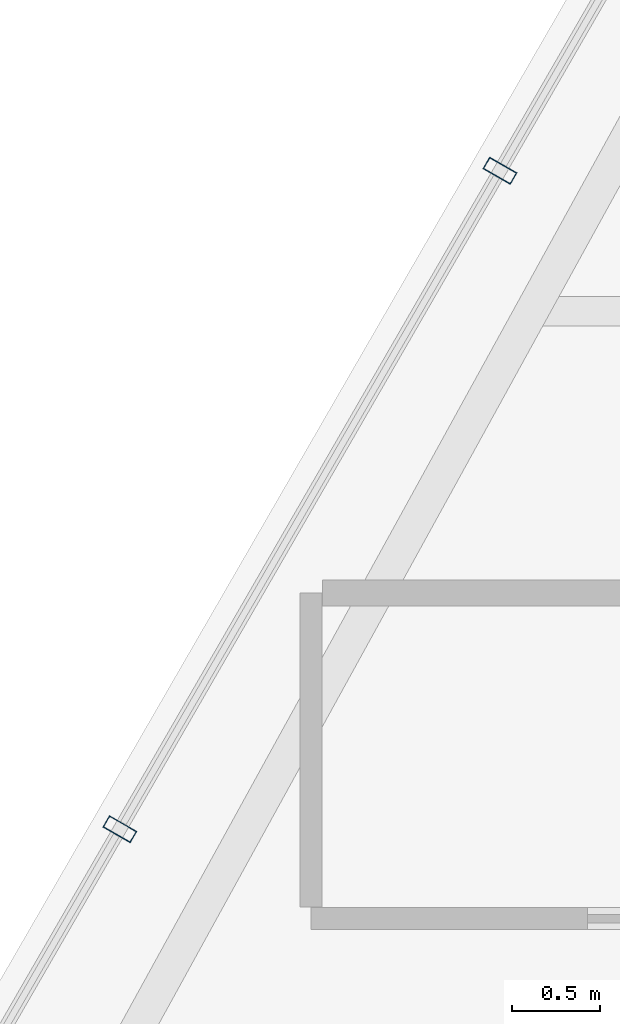
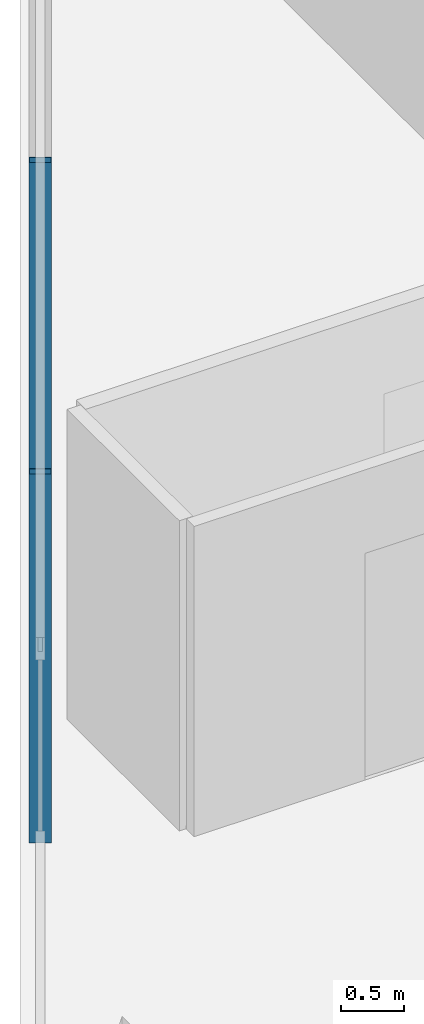
# One storey, part 4 of 30: 2 members, 1 element without a shape of its own.
"""IFC4 building model written with IfcOpenShell, lengths in metres."""

import ifcopenshell
import ifcopenshell.guid

model = None  # the IFC model being written
_history = None  # IfcOwnerHistory: only IFC2X3 demands one
_inside = {}  # id of a spatial element -> (the spatial element, [elements in it])
_under = {}  # id of a project, library or spatial element -> (it, [spatial elements below it])
_declared = {}  # id of a project -> (the project, [libraries it declares])
_typed = {}  # id of a type object -> (the type object, [elements of that type])
_made_of = {}  # id of a material, layer set ... -> (it, [elements and type objects made of it])


def new_model(schema):
    """Start an empty IFC model of exactly this schema.

    Asked for "IFC4X3", IfcOpenShell would pick the latest addendum, in which some entities
    have other attributes; the version numbers below select the first issue.
    IFC2X3 requires an IfcOwnerHistory on every rooted entity: one is made here for all.
    """
    global model, _history
    if schema == "IFC4X3":
        model = ifcopenshell.file(schema_version=(4, 3, 0, 0))
    else:
        model = ifcopenshell.file(schema=schema)
    _inside.clear()
    _under.clear()
    _declared.clear()
    _typed.clear()
    _made_of.clear()
    _history = None
    if model.schema == "IFC2X3":
        org = make("IfcOrganization", Name="unknown")
        user = make(
            "IfcPersonAndOrganization",
            ThePerson=make("IfcPerson", FamilyName="unknown"),
            TheOrganization=org,
        )
        app = make(
            "IfcApplication",
            ApplicationDeveloper=org,
            Version="unknown",
            ApplicationFullName="unknown",
            ApplicationIdentifier="unknown",
        )
        _history = make(
            "IfcOwnerHistory",
            OwningUser=user,
            OwningApplication=app,
            ChangeAction="ADDED",
            CreationDate=0,
        )
    return model


def make(cls, **values):
    """One entity of the class cls with the attributes given. An attribute that is None is left unset."""
    return model.create_entity(
        cls, **{name: value for name, value in values.items() if value is not None}
    )


def rooted(cls, **values):
    """An entity with a GlobalId (a new one), such as an element, a storey or a relation."""
    return make(cls, GlobalId=ifcopenshell.guid.new(), OwnerHistory=_history, **values)


def si_unit(unit_type, name, prefix=None):
    """IfcSIUnit, for example si_unit("LENGTHUNIT", "METRE", prefix="MILLI")."""
    return make("IfcSIUnit", UnitType=unit_type, Prefix=prefix, Name=name)


def assignment(units):
    """IfcUnitAssignment: the units of a project."""
    return None if units is None else make("IfcUnitAssignment", Units=units)


def point(xyz):
    """IfcCartesianPoint."""
    return None if xyz is None else make("IfcCartesianPoint", Coordinates=xyz)


def direction(xyz):
    """IfcDirection."""
    return None if xyz is None else make("IfcDirection", DirectionRatios=xyz)


def frame(location, z_axis=None, x_axis=None):
    """IfcAxis2Placement3D, a coordinate frame: its origin and axes. An axis left out is left unset."""
    return make(
        "IfcAxis2Placement3D",
        Location=point(location),
        Axis=direction(z_axis),
        RefDirection=direction(x_axis),
    )


def frame_2d(location, x_axis=None):
    """IfcAxis2Placement2D, a coordinate frame in the plane: its origin and x axis."""
    return make(
        "IfcAxis2Placement2D", Location=point(location), RefDirection=direction(x_axis)
    )


def origin():
    """The frame at (0, 0, 0) with its axes left unset."""
    return frame((0.0, 0.0, 0.0))


def origin_2d():
    """The frame at (0, 0) in the plane with its x axis left unset."""
    return frame_2d((0.0, 0.0))


def place(relative_to, where):
    """IfcLocalPlacement: puts the frame where relative to a parent placement (None: the world)."""
    return make(
        "IfcLocalPlacement", PlacementRelTo=relative_to, RelativePlacement=where
    )


def context(
    kind, dimensions, precision=None, world=None, true_north=None, identifier=None
):
    """IfcGeometricRepresentationContext, for example the 3D "Model" context."""
    return make(
        "IfcGeometricRepresentationContext",
        ContextIdentifier=identifier,
        ContextType=kind,
        CoordinateSpaceDimension=dimensions,
        Precision=precision,
        WorldCoordinateSystem=world,
        TrueNorth=true_north,
    )


def subcontext(parent, identifier, kind, view, scale=None):
    """IfcGeometricRepresentationSubContext, for example "Body" below "Model"."""
    return make(
        "IfcGeometricRepresentationSubContext",
        ContextIdentifier=identifier,
        ContextType=kind,
        ParentContext=parent,
        TargetScale=scale,
        TargetView=view,
    )


def project(units=None, contexts=None):
    """IfcProject with its units and contexts."""
    return rooted(
        "IfcProject",
        Name="project",
        RepresentationContexts=contexts,
        UnitsInContext=assignment(units),
    )


def spatial(cls, under=None, at=None, **own):
    """A site, building, storey or space (cls), placed at a placement, below another one or the project."""
    s = rooted(cls, ObjectPlacement=at, **own)
    if under is not None:
        _under.setdefault(under.id(), (under, []))[1].append(s)
    return s


def profile(cls, at=None, kind="AREA", **sizes):
    """A parametric profile (cls). Its sizes go by their IFC names, for example OverallWidth=200.0."""
    return make(cls, ProfileType=kind, Position=at, **sizes)


def hollow_rectangle(**sizes):
    """IfcRectangleHollowProfileDef."""
    return profile("IfcRectangleHollowProfileDef", **sizes)


def extrude(swept, where, along, depth):
    """IfcExtrudedAreaSolid: the profile swept, set in the frame where, extruded along a direction by depth."""
    return make(
        "IfcExtrudedAreaSolid",
        SweptArea=swept,
        Position=where,
        ExtrudedDirection=direction(along),
        Depth=depth,
    )


def shape(context_of_items, identifier, shape_type, items):
    """IfcShapeRepresentation: the items that make up one representation, for example the "Body"."""
    return make(
        "IfcShapeRepresentation",
        ContextOfItems=context_of_items,
        RepresentationIdentifier=identifier,
        RepresentationType=shape_type,
        Items=items,
    )


def material(Name=None, Category=None):
    """IfcMaterial."""
    return make("IfcMaterial", Name=Name, Category=Category)


def layer(
    of_material, thickness, ventilated=None, Name=None, Category=None, Priority=None
):
    """IfcMaterialLayer: one layer of a wall or slab, of a material (None: an air gap)."""
    return make(
        "IfcMaterialLayer",
        Material=of_material,
        LayerThickness=thickness,
        IsVentilated=ventilated,
        Name=Name,
        Category=Category,
        Priority=Priority,
    )


def layer_set(layers, Name=None):
    """IfcMaterialLayerSet."""
    return make("IfcMaterialLayerSet", MaterialLayers=layers, LayerSetName=Name)


def material_profile(
    of_material, cross_section, Name=None, Category=None, Priority=None
):
    """IfcMaterialProfile: a cross section and its material."""
    return make(
        "IfcMaterialProfile",
        Name=Name,
        Material=of_material,
        Profile=cross_section,
        Priority=Priority,
        Category=Category,
    )


def profile_set(profiles, Name=None, composite=None):
    """IfcMaterialProfileSet."""
    return make(
        "IfcMaterialProfileSet",
        Name=Name,
        MaterialProfiles=profiles,
        CompositeProfile=composite,
    )


def made_of(thing, what):
    """Note that an element or type object is made of a material, layer set ...; save() writes the relation."""
    if what is not None:
        _made_of.setdefault(what.id(), (what, []))[1].append(thing)
    return thing


def type_object(cls, material=None, **own):
    """A type object (cls), such as IfcWallType, which elements share."""
    return made_of(rooted(cls, **own), material)


def element(
    cls,
    number,
    at=None,
    inside=None,
    cuts=None,
    type_object=None,
    material=None,
    context=None,
    identifier="Body",
    shape_type=None,
    held_by="IfcProductDefinitionShape",
    body=None,
    shapes=None,
    **own,
):
    """One element of the class cls, such as IfcWall. Its Tag is "e" and its number.

    at: its placement. inside: the storey or other place that contains it. cuts: it is an
    opening in that element (IfcRelVoidsElement). A single representation is given by context,
    identifier, shape_type and body (its items); several are given by shapes. held_by: the class
    of the entity that holds the representations. save() writes the other relations.
    """
    e = rooted(cls, Tag="e%d" % number, ObjectPlacement=at, **own)
    if body is not None:
        shapes = [shape(context, identifier, shape_type, body)]
    if shapes is not None:
        e.Representation = make(held_by, Representations=shapes)
    if inside is not None:
        _inside.setdefault(inside.id(), (inside, []))[1].append(e)
    if cuts is not None:
        rooted(
            "IfcRelVoidsElement", RelatingBuildingElement=cuts, RelatedOpeningElement=e
        )
    if type_object is not None:
        _typed.setdefault(type_object.id(), (type_object, []))[1].append(e)
    return made_of(e, material)


def aggregate(whole, parts):
    """IfcRelAggregates: a whole, such as a stair, and the parts it consists of."""
    return rooted("IfcRelAggregates", RelatingObject=whole, RelatedObjects=parts)


def save(model, path):
    """Write the relations noted so far, then the file.

    IfcRelAggregates (storeys below a building ...), IfcRelContainedInSpatialStructure (elements
    in a storey), IfcRelDefinesByType, IfcRelAssociatesMaterial and IfcRelDeclares: one each for
    every whole, place, type object, material and project.
    """
    for whole, parts in _under.values():
        aggregate(whole, parts)
    for where, things in _inside.values():
        rooted(
            "IfcRelContainedInSpatialStructure",
            RelatedElements=things,
            RelatingStructure=where,
        )
    for kind, things in _typed.values():
        rooted("IfcRelDefinesByType", RelatedObjects=things, RelatingType=kind)
    for what, things in _made_of.values():
        rooted("IfcRelAssociatesMaterial", RelatedObjects=things, RelatingMaterial=what)
    for by, libraries in _declared.values():
        rooted("IfcRelDeclares", RelatingContext=by, RelatedDefinitions=libraries)
    model.write(path)


model = new_model("IFC4")

# Units and contexts
model_context = context("Model", 3, precision=1e-05, world=origin(), true_north=direction((0.0, 1.0)))
body_context = subcontext(model_context, "Body", "Model", "MODEL_VIEW")
ifc_project = project(units=[si_unit("LENGTHUNIT", "METRE"), si_unit("AREAUNIT", "SQUARE_METRE"), si_unit("VOLUMEUNIT", "CUBIC_METRE"), si_unit("PLANEANGLEUNIT", "RADIAN"), si_unit("MASSUNIT", "GRAM", prefix="KILO")], contexts=[model_context])

# Site, building, storey
site_placement = place(None, origin())
site = spatial("IfcSite", under=ifc_project, at=site_placement, CompositionType="ELEMENT")
building_placement = place(site_placement, origin())
building = spatial("IfcBuilding", under=site, at=building_placement, Name="Ndaravel Arena Tower", CompositionType="ELEMENT")
storey_placement = place(building_placement, frame((0.0, 0.0, 221.800048828125)))
storey = spatial("IfcBuildingStorey", under=building, at=storey_placement, Name="L53", CompositionType="ELEMENT", Elevation=221.800048828125)

# Curtain wall, members
ifc_material_1 = material(Name="Aluminium", Category="aluminium")
ifc_layer = layer(ifc_material_1, 0.179931640625)
ifc_layer_set = layer_set([ifc_layer], Name="Aluminium")
curtain_wall_type = type_object("IfcCurtainWallType", Name="CW-SYS-03", PredefinedType="NOTDEFINED", material=ifc_layer_set)
curtain_wall_placement = place(storey_placement, origin())
curtain_wall = element("IfcCurtainWall", 1, at=curtain_wall_placement, inside=storey, type_object=curtain_wall_type, Name="L53 Faceted Crystal Curtain Wall CW-L53-E05", PredefinedType="NOTDEFINED")
ifc_material_2 = material(Name="Aluminium", Category="aluminium")
ifc_material_profile = material_profile(ifc_material_2, hollow_rectangle(XDim=0.074951171875, YDim=0.179931640625, WallThickness=0.00390625, at=origin_2d()), Name="CW MULLION 75x180x4")
ifc_profile_set = profile_set([ifc_material_profile], Name="Aluminium")
member_type = type_object("IfcMemberType", Name="MEM-CW-MUL180", PredefinedType="MULLION", material=ifc_profile_set)
member_1_placement = place(storey_placement, frame((22.9833984375, 19.398193359375, 0.0), z_axis=(0.0, 0.0, 1.0), x_axis=(-0.5, -0.866025403784, 0.0)))
member_1 = element("IfcMember", 2, at=member_1_placement, type_object=member_type, Name="CW-L53-E05 Mullion 07", PredefinedType="MULLION", context=body_context, shape_type="SweptSolid", body=[
    extrude(hollow_rectangle(XDim=0.074951171875, YDim=0.179931640625, WallThickness=0.00390625, at=origin_2d()), origin(), (0.0, 0.0, 1.0), 3.579833984375),
])
member_2_placement = place(storey_placement, frame((20.82421875, 15.658203125, 0.0), z_axis=(0.0, 0.0, 1.0), x_axis=(-0.5, -0.866025403784, 0.0)))
member_2 = element("IfcMember", 3, at=member_2_placement, type_object=member_type, Name="CW-L53-E05 Mullion 08", PredefinedType="MULLION", context=body_context, shape_type="SweptSolid", body=[
    extrude(hollow_rectangle(XDim=0.074951171875, YDim=0.179931640625, WallThickness=0.00390625, at=origin_2d()), origin(), (0.0, 0.0, 1.0), 3.579833984375),
])
aggregate(curtain_wall, [member_1, member_2])

save(model, "model.ifc")
